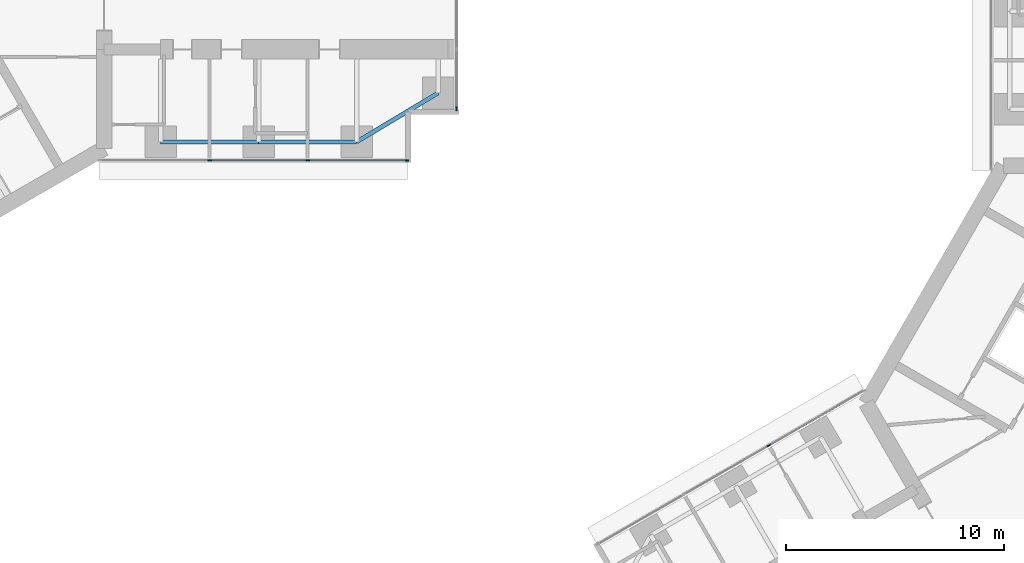
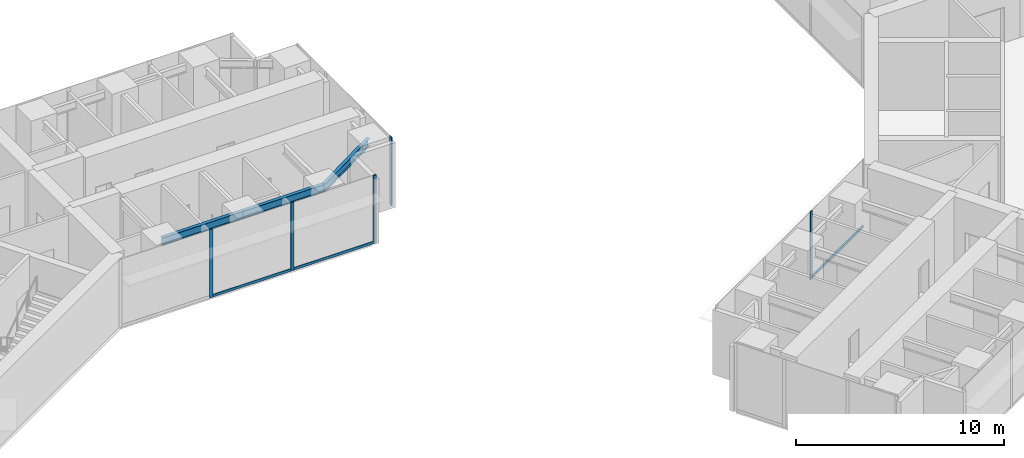
# One storey, part 5 of 24: 8 members, 3 beams, 3 elements without a shape of their own.
"""IFC4 building model written with IfcOpenShell, lengths in metres."""

from ifc_helpers import new_model, si_unit, direction, frame, origin, origin_2d, place, context, subcontext, project, spatial, rectangle, i_section, extrude, material, material_profile, profile_set, type_object, element, aggregate, save


model = new_model("IFC4")

# Units and contexts
model_context = context("Model", 3, precision=1e-05, world=origin(), true_north=direction((0.0, 1.0)))
body_context = subcontext(model_context, "Body", "Model", "MODEL_VIEW")
ifc_project = project(units=[si_unit("LENGTHUNIT", "METRE"), si_unit("AREAUNIT", "SQUARE_METRE"), si_unit("VOLUMEUNIT", "CUBIC_METRE"), si_unit("PLANEANGLEUNIT", "RADIAN"), si_unit("MASSUNIT", "GRAM", prefix="KILO")], contexts=[model_context])

# Site, building, storey
site_placement = place(None, origin())
site = spatial("IfcSite", under=ifc_project, at=site_placement, CompositionType="ELEMENT")
building_placement = place(site_placement, origin())
building = spatial("IfcBuilding", under=site, at=building_placement, Name="Upepo Twin Towers", CompositionType="ELEMENT")
storey_placement = place(building_placement, frame((0.0, 0.0, 60.5)))
storey = spatial("IfcBuildingStorey", under=building, at=storey_placement, Name="L14", CompositionType="ELEMENT", Elevation=60.5)

# Beams
ifc_material_1 = material(Name="Steel S355", Category="steel")
ifc_material_profile_1 = material_profile(ifc_material_1, i_section(OverallWidth=0.1904296875, OverallDepth=0.45703125, WebThickness=0.009033203125, FlangeThickness=0.014404296875, FilletRadius=0.01025390625, at=origin_2d()), Name="UB 457x191x74")
ifc_profile_set_1 = profile_set([ifc_material_profile_1], Name="Steel S355")
beam_type = type_object("IfcBeamType", Name="Beam UB 457x191x74", PredefinedType="BEAM", material=ifc_profile_set_1)
for number, where, z_axis, x_axis, name in (
    (1, (13.5, -6.0, 3.571533203125), (1.0, 0.0, 0.0), (0.0, 1.0, 0.0), "T1 edge beam AR 13.5-18.0"),
    (2, (18.0, -6.0, 3.571533203125), (1.0, 0.0, 0.0), (0.0, 1.0, 0.0), "T1 edge beam AR 18.0-22.5"),
):
    element("IfcBeam", number, at=place(storey_placement, frame(where, z_axis=z_axis, x_axis=x_axis)), inside=storey, type_object=beam_type, Name=name, PredefinedType="BEAM", context=body_context, shape_type="SweptSolid", body=[
        extrude(i_section(OverallWidth=0.1904296875, OverallDepth=0.45703125, WebThickness=0.009033203125, FlangeThickness=0.014404296875, FilletRadius=0.01025390625, at=origin_2d()), origin(), (0.0, 0.0, 1.0), 4.5),
    ])
beam_placement = place(storey_placement, frame((22.5, -6.0, 3.571533203125), z_axis=(0.857492925713, 0.514495755428, 0.0), x_axis=(-0.514495755428, 0.857492925713, 0.0)))
element("IfcBeam", 3, at=beam_placement, inside=storey, type_object=beam_type, Name="T1 nose edge beam AR", PredefinedType="BEAM", context=body_context, shape_type="SweptSolid", body=[
    extrude(i_section(OverallWidth=0.1904296875, OverallDepth=0.45703125, WebThickness=0.009033203125, FlangeThickness=0.014404296875, FilletRadius=0.01025390625, at=origin_2d()), origin(), (0.0, 0.0, 1.0), 4.373291015625),
])

# Curtain wall, members
ifc_material_2 = material(Name="Aluminium and fritted glass", Category="aluminium")
curtain_wall_type = type_object("IfcCurtainWallType", Name="Tower curtain wall TW1, fritted glass", PredefinedType="NOTDEFINED", material=ifc_material_2)
curtain_wall_1_placement = place(storey_placement, origin())
curtain_wall_1 = element("IfcCurtainWall", 4, at=curtain_wall_1_placement, inside=storey, type_object=curtain_wall_type, Name="T1 L14 wing A flank R curtain wall", PredefinedType="NOTDEFINED")
ifc_material_3 = material(Name="Aluminium mullion", Category="aluminium")
ifc_material_profile_2 = material_profile(ifc_material_3, rectangle(XDim=0.06494140625, YDim=0.179931640625, at=origin_2d()), Name="MULLION 65x180")
ifc_profile_set_2 = profile_set([ifc_material_profile_2], Name="Aluminium mullion")
member_type_1 = type_object("IfcMemberType", Name="Mullion 65x180 TW1", PredefinedType="MULLION", material=ifc_profile_set_2)
member_1_placement = place(storey_placement, frame((24.8173828125, -6.85009765625, 0.0), z_axis=(0.0, 0.0, 1.0), x_axis=(0.0, -1.0, 0.0)))
member_1 = element("IfcMember", 5, at=member_1_placement, type_object=member_type_1, Name="T1 L14 wing A flank R curtain wall mullion 1", PredefinedType="MULLION", context=body_context, shape_type="SweptSolid", body=[
    extrude(rectangle(XDim=0.06494140625, YDim=0.179931640625, at=origin_2d()), origin(), (0.0, 0.0, 1.0), 4.0),
])
member_2_placement = place(storey_placement, frame((20.25, -6.85009765625, 0.0), z_axis=(0.0, 0.0, 1.0), x_axis=(0.0, -1.0, 0.0)))
member_2 = element("IfcMember", 6, at=member_2_placement, type_object=member_type_1, Name="T1 L14 wing A flank R curtain wall mullion 2", PredefinedType="MULLION", context=body_context, shape_type="SweptSolid", body=[
    extrude(rectangle(XDim=0.06494140625, YDim=0.179931640625, at=origin_2d()), origin(), (0.0, 0.0, 1.0), 4.0),
])
member_3_placement = place(storey_placement, frame((15.75, -6.85009765625, 0.0), z_axis=(0.0, 0.0, 1.0), x_axis=(0.0, -1.0, 0.0)))
member_3 = element("IfcMember", 7, at=member_3_placement, type_object=member_type_1, Name="T1 L14 wing A flank R curtain wall mullion 3", PredefinedType="MULLION", context=body_context, shape_type="SweptSolid", body=[
    extrude(rectangle(XDim=0.06494140625, YDim=0.179931640625, at=origin_2d()), origin(), (0.0, 0.0, 1.0), 4.0),
])

# Curtain wall, member
curtain_wall_2_placement = place(storey_placement, origin())
curtain_wall_2 = element("IfcCurtainWall", 8, at=curtain_wall_2_placement, inside=storey, type_object=curtain_wall_type, Name="T1 L14 wing A nose curtain wall", PredefinedType="NOTDEFINED")
member_4_placement = place(storey_placement, frame((27.10009765625, -4.467529296875, 0.0), z_axis=(0.0, 0.0, 1.0), x_axis=(-1.0, 0.0, 0.0)))
member_4 = element("IfcMember", 9, at=member_4_placement, type_object=member_type_1, Name="T1 L14 wing A nose curtain wall mullion 1", PredefinedType="MULLION", context=body_context, shape_type="SweptSolid", body=[
    extrude(rectangle(XDim=0.06494140625, YDim=0.179931640625, at=origin_2d()), origin(), (0.0, 0.0, 1.0), 4.0),
])
aggregate(curtain_wall_2, [member_4])

curtain_wall_3_placement = place(storey_placement, origin())
curtain_wall_3 = element("IfcCurtainWall", 10, at=curtain_wall_3_placement, inside=storey, type_object=curtain_wall_type, Name="T2 L14 wing B flank R curtain wall", PredefinedType="NOTDEFINED")
member_5_placement = place(storey_placement, frame((41.43505859375, -19.942626953125, 0.0), z_axis=(0.0, 0.0, 1.0), x_axis=(-0.500000024426, 0.866025389682, 0.0)))
member_5 = element("IfcMember", 11, at=member_5_placement, type_object=member_type_1, Name="T2 L14 wing B flank R curtain wall mullion 3", PredefinedType="MULLION", context=body_context, shape_type="SweptSolid", body=[
    extrude(rectangle(XDim=0.06494140625, YDim=0.179931640625, at=origin_2d()), origin(), (0.0, 0.0, 1.0), 4.0),
])

# Member
ifc_material_4 = material(Name="Aluminium transom", Category="aluminium")
ifc_material_profile_3 = material_profile(ifc_material_4, rectangle(XDim=0.06494140625, YDim=0.14990234375, at=origin_2d()), Name="TRANSOM 65x150")
ifc_profile_set_3 = profile_set([ifc_material_profile_3], Name="Aluminium transom")
member_type_2 = type_object("IfcMemberType", Name="Transom 65x150 TW1", PredefinedType="USERDEFINED", material=ifc_profile_set_3)
member_6_placement = place(storey_placement, frame((24.784912109375, -6.85009765625, 0.074951171875), z_axis=(-1.0, 0.0, 0.0), x_axis=(0.0, -1.0, 0.0)))
member_6 = element("IfcMember", 12, at=member_6_placement, type_object=member_type_2, Name="T1 L14 wing A flank R curtain wall transom 1", ObjectType="TRANSOM", PredefinedType="USERDEFINED", context=body_context, shape_type="SweptSolid", body=[
    extrude(rectangle(XDim=0.06494140625, YDim=0.14990234375, at=origin_2d()), origin(), (0.0, 0.0, 1.0), 4.50244140625),
])

member_7_placement = place(storey_placement, frame((20.217529296875, -6.85009765625, 0.074951171875), z_axis=(-1.0, 0.0, 0.0), x_axis=(0.0, -1.0, 0.0)))
member_7 = element("IfcMember", 13, at=member_7_placement, type_object=member_type_2, Name="T1 L14 wing A flank R curtain wall transom 2", ObjectType="TRANSOM", PredefinedType="USERDEFINED", context=body_context, shape_type="SweptSolid", body=[
    extrude(rectangle(XDim=0.06494140625, YDim=0.14990234375, at=origin_2d()), origin(), (0.0, 0.0, 1.0), 4.43505859375),
])

aggregate(curtain_wall_1, [member_1, member_2, member_3, member_6, member_7])

member_8_placement = place(storey_placement, frame((41.463134765625, -19.926513671875, 0.074951171875), z_axis=(0.866034933967, 0.499983492876, 0.0), x_axis=(-0.499983492876, 0.866034933967, 0.0)))
member_8 = element("IfcMember", 14, at=member_8_placement, type_object=member_type_2, Name="T2 L14 wing B flank R curtain wall transom 3", ObjectType="TRANSOM", PredefinedType="USERDEFINED", context=body_context, shape_type="SweptSolid", body=[
    extrude(rectangle(XDim=0.06494140625, YDim=0.14990234375, at=origin_2d()), origin(), (0.0, 0.0, 1.0), 4.965576171875),
])

aggregate(curtain_wall_3, [member_5, member_8])

save(model, "model.ifc")
